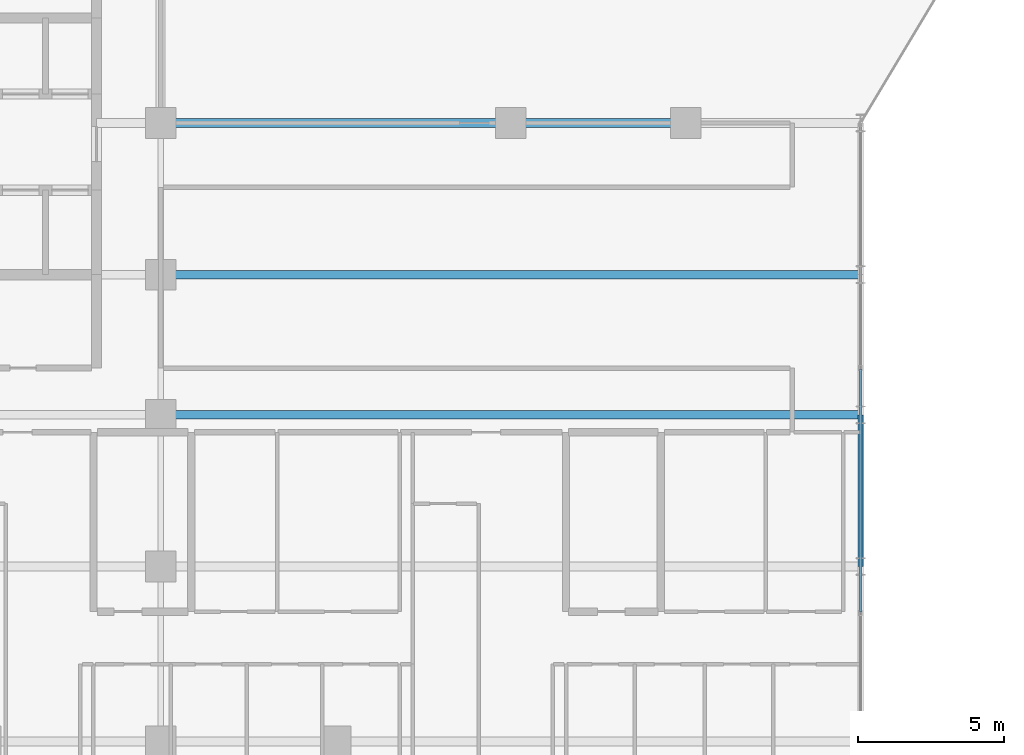
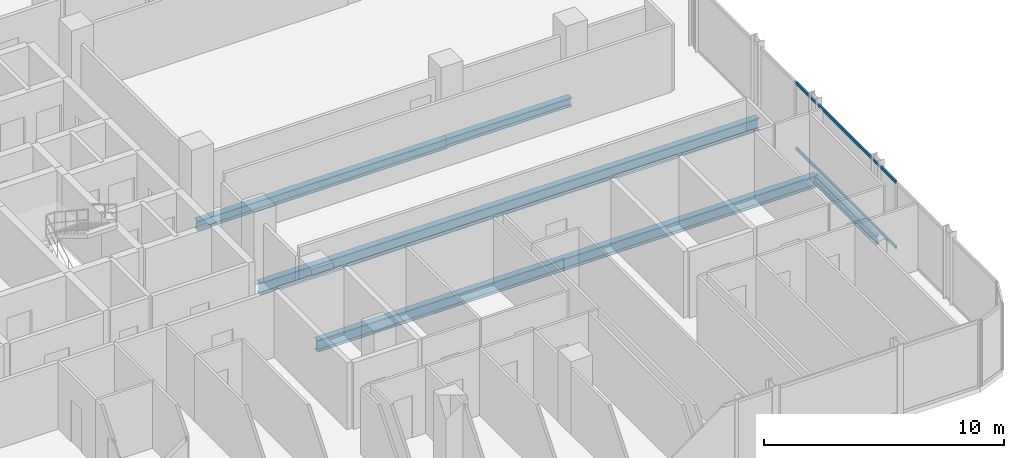
# One storey, part 11 of 29: 5 beams, 2 members, 1 element without a shape of its own.
"""IFC4 building model written with IfcOpenShell, lengths in metres."""

from ifc_helpers import new_model, si_unit, direction, frame, origin, origin_2d, place, context, subcontext, project, spatial, hollow_rectangle, i_section, extrude, material, layer, layer_set, material_profile, profile_set, type_object, element, aggregate, save


model = new_model("IFC4")

# Units and contexts
model_context = context("Model", 3, precision=1e-05, world=origin(), true_north=direction((0.0, 1.0)))
body_context = subcontext(model_context, "Body", "Model", "MODEL_VIEW")
ifc_project = project(units=[si_unit("LENGTHUNIT", "METRE"), si_unit("AREAUNIT", "SQUARE_METRE"), si_unit("VOLUMEUNIT", "CUBIC_METRE"), si_unit("PLANEANGLEUNIT", "RADIAN"), si_unit("MASSUNIT", "GRAM", prefix="KILO")], contexts=[model_context])

# Site, building, storey
site_placement = place(None, origin())
site = spatial("IfcSite", under=ifc_project, at=site_placement, CompositionType="ELEMENT")
building_placement = place(site_placement, origin())
building = spatial("IfcBuilding", under=site, at=building_placement, Name="Keshet Zoharim Tower", CompositionType="ELEMENT")
storey_placement = place(building_placement, frame((0.0, 0.0, 98.300048828125)))
storey = spatial("IfcBuildingStorey", under=building, at=storey_placement, Name="L23", CompositionType="ELEMENT", Elevation=98.300048828125)

# Beams
ifc_material_1 = material(Name="Steel S355", Category="steel")
ifc_material_profile_1 = material_profile(ifc_material_1, i_section(OverallWidth=0.300048828125, OverallDepth=0.60009765625, WebThickness=0.015380859375, FlangeThickness=0.030029296875, FilletRadius=0.027099609375, at=origin_2d()), Name="HEB600")
ifc_profile_set_1 = profile_set([ifc_material_profile_1], Name="Steel S355")
beam_type_1 = type_object("IfcBeamType", Name="BM-LNG-HB600", PredefinedType="BEAM", material=ifc_profile_set_1)
for number, where, z_axis, x_axis, name in (
    (1, (33.0, 17.89990234375, -0.614990234375), (1.0, 0.0, 0.0), (0.0, 1.0, 0.0), "L23 Primary Girder X-013"),
    (2, (33.0, 22.699951171875, -0.614990234375), (1.0, 0.0, 0.0), (0.0, 1.0, 0.0), "L23 Primary Girder X-014"),
):
    element("IfcBeam", number, at=place(storey_placement, frame(where, z_axis=z_axis, x_axis=x_axis)), inside=storey, type_object=beam_type_1, Name=name, PredefinedType="BEAM", context=body_context, shape_type="SweptSolid", body=[
        extrude(i_section(OverallWidth=0.300048828125, OverallDepth=0.60009765625, WebThickness=0.015380859375, FlangeThickness=0.030029296875, FilletRadius=0.027099609375, at=origin_2d()), origin(), (0.0, 0.0, 1.0), 24.0),
    ])
ifc_material_profile_2 = material_profile(ifc_material_1, i_section(OverallWidth=0.300048828125, OverallDepth=0.5, WebThickness=0.014404296875, FlangeThickness=0.028076171875, FilletRadius=0.027099609375, at=origin_2d()), Name="HEB500")
ifc_profile_set_2 = profile_set([ifc_material_profile_2], Name="Steel S355")
beam_type_2 = type_object("IfcBeamType", Name="BM-MED-HB500", PredefinedType="BEAM", material=ifc_profile_set_2)
beam_1_placement = place(storey_placement, frame((33.0, 27.89990234375, -0.56494140625), z_axis=(1.0, 0.0, 0.0), x_axis=(0.0, 1.0, 0.0)))
element("IfcBeam", 3, at=beam_1_placement, inside=storey, type_object=beam_type_2, Name="L23 Primary Girder X-015", PredefinedType="BEAM", context=body_context, shape_type="SweptSolid", body=[
    extrude(i_section(OverallWidth=0.300048828125, OverallDepth=0.5, WebThickness=0.014404296875, FlangeThickness=0.028076171875, FilletRadius=0.027099609375, at=origin_2d()), origin(), (0.0, 0.0, 1.0), 12.0),
])
ifc_material_profile_3 = material_profile(ifc_material_1, i_section(OverallWidth=0.18994140625, OverallDepth=0.449951171875, WebThickness=0.009521484375, FlangeThickness=0.0146484375, FilletRadius=0.02099609375, at=origin_2d()), Name="IPE450")
ifc_profile_set_3 = profile_set([ifc_material_profile_3], Name="Steel S355")
beam_type_3 = type_object("IfcBeamType", Name="BM-PRI-IP450", PredefinedType="BEAM", material=ifc_profile_set_3)
beam_2_placement = place(storey_placement, frame((57.0, 12.699951171875, -0.5400390625), z_axis=(0.0, 1.0, 0.0), x_axis=(-1.0, 0.0, 0.0)))
element("IfcBeam", 4, at=beam_2_placement, inside=storey, type_object=beam_type_3, Name="L23 Primary Girder Y-014", PredefinedType="BEAM", context=body_context, shape_type="SweptSolid", body=[
    extrude(i_section(OverallWidth=0.18994140625, OverallDepth=0.449951171875, WebThickness=0.009521484375, FlangeThickness=0.0146484375, FilletRadius=0.02099609375, at=origin_2d()), origin(), (0.0, 0.0, 1.0), 5.199951171875),
])
ifc_material_profile_4 = material_profile(ifc_material_1, i_section(OverallWidth=0.300048828125, OverallDepth=0.449951171875, WebThickness=0.013916015625, FlangeThickness=0.02587890625, FilletRadius=0.027099609375, at=origin_2d()), Name="HEB450")
ifc_profile_set_4 = profile_set([ifc_material_profile_4], Name="Steel S355")
beam_type_4 = type_object("IfcBeamType", Name="BM-WEB-HB450", PredefinedType="BEAM", material=ifc_profile_set_4)
beam_3_placement = place(storey_placement, frame((45.0, 27.89990234375, -0.5400390625), z_axis=(1.0, 0.0, 0.0), x_axis=(0.0, 1.0, 0.0)))
element("IfcBeam", 5, at=beam_3_placement, inside=storey, type_object=beam_type_4, Name="L23 Primary Girder X-016", PredefinedType="BEAM", context=body_context, shape_type="SweptSolid", body=[
    extrude(i_section(OverallWidth=0.300048828125, OverallDepth=0.449951171875, WebThickness=0.013916015625, FlangeThickness=0.02587890625, FilletRadius=0.027099609375, at=origin_2d()), origin(), (0.0, 0.0, 1.0), 6.0),
])

# Curtain wall, members
ifc_material_2 = material(Name="Aluminium 6063-T6", Category="aluminium")
ifc_layer = layer(ifc_material_2, 0.159912109375)
ifc_layer_set = layer_set([ifc_layer], Name="Aluminium 6063-T6")
curtain_wall_type = type_object("IfcCurtainWallType", Name="CW-SYS-03", PredefinedType="NOTDEFINED", material=ifc_layer_set)
curtain_wall_placement = place(storey_placement, origin())
curtain_wall = element("IfcCurtainWall", 6, at=curtain_wall_placement, inside=storey, type_object=curtain_wall_type, Name="L23 Unitised Curtain Wall 19", PredefinedType="NOTDEFINED")
ifc_material_profile_5 = material_profile(ifc_material_2, hollow_rectangle(XDim=0.080078125, YDim=0.139892578125, WallThickness=0.00390625, at=origin_2d()), Name="TRN-80x140")
ifc_profile_set_5 = profile_set([ifc_material_profile_5], Name="Aluminium 6063-T6")
member_type = type_object("IfcMemberType", Name="CWT-T14", PredefinedType="USERDEFINED", material=ifc_profile_set_5)
member_1_placement = place(storey_placement, frame((57.0, 19.465087890625, 0.034912109375), z_axis=(0.0, -1.0, 0.0), x_axis=(1.0, 0.0, 0.0)))
member_1 = element("IfcMember", 7, at=member_1_placement, type_object=member_type, Name="CW-03 transom 2.1", ObjectType="TRANSOM", PredefinedType="USERDEFINED", context=body_context, shape_type="SweptSolid", body=[
    extrude(hollow_rectangle(XDim=0.080078125, YDim=0.139892578125, WallThickness=0.00390625, at=origin_2d()), origin(), (0.0, 0.0, 1.0), 8.330078125),
])
member_2_placement = place(storey_placement, frame((57.0, 19.465087890625, 3.349853515625), z_axis=(0.0, -1.0, 0.0), x_axis=(1.0, 0.0, 0.0)))
member_2 = element("IfcMember", 8, at=member_2_placement, type_object=member_type, Name="CW-03 transom 2.2", ObjectType="TRANSOM", PredefinedType="USERDEFINED", context=body_context, shape_type="SweptSolid", body=[
    extrude(hollow_rectangle(XDim=0.080078125, YDim=0.139892578125, WallThickness=0.00390625, at=origin_2d()), origin(), (0.0, 0.0, 1.0), 8.330078125),
])
aggregate(curtain_wall, [member_1, member_2])

save(model, "model.ifc")
